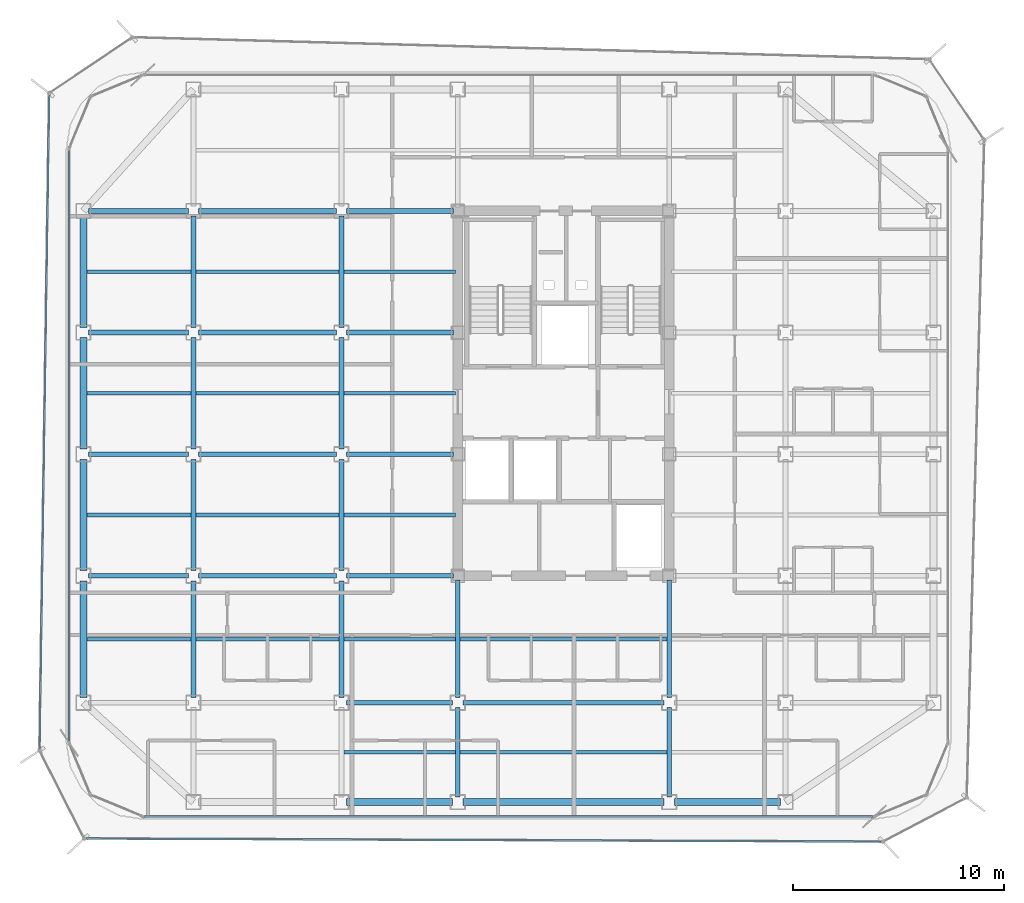
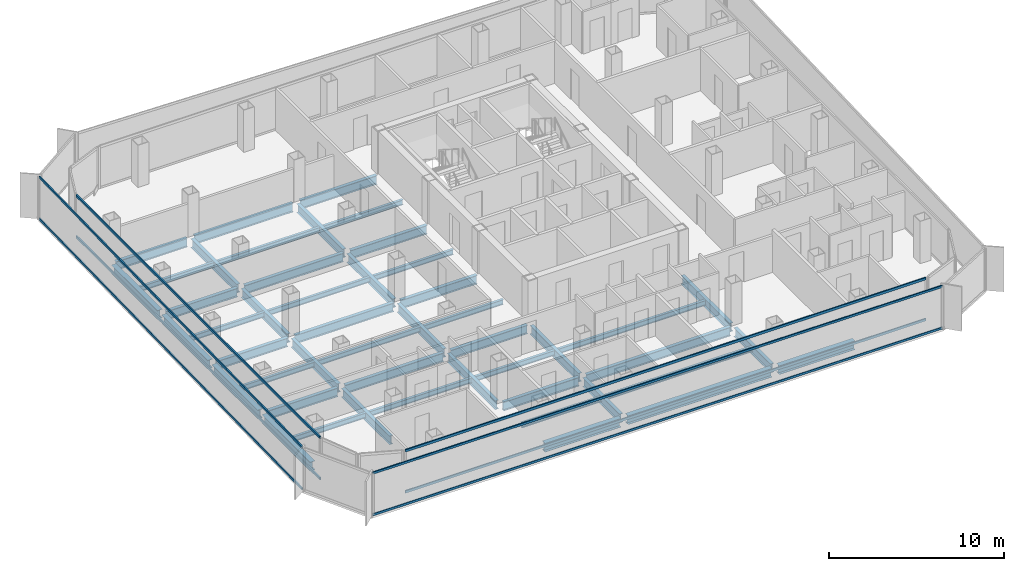
# One storey, part 3 of 16: 48 beams, 8 members, 4 elements without a shape of their own.
"""IFC4 building model written with IfcOpenShell, lengths in metres."""

import ifcopenshell
import ifcopenshell.guid

model = None  # the IFC model being written
_history = None  # IfcOwnerHistory: only IFC2X3 demands one
_inside = {}  # id of a spatial element -> (the spatial element, [elements in it])
_under = {}  # id of a project, library or spatial element -> (it, [spatial elements below it])
_declared = {}  # id of a project -> (the project, [libraries it declares])
_typed = {}  # id of a type object -> (the type object, [elements of that type])
_made_of = {}  # id of a material, layer set ... -> (it, [elements and type objects made of it])


def new_model(schema):
    """Start an empty IFC model of exactly this schema.

    Asked for "IFC4X3", IfcOpenShell would pick the latest addendum, in which some entities
    have other attributes; the version numbers below select the first issue.
    IFC2X3 requires an IfcOwnerHistory on every rooted entity: one is made here for all.
    """
    global model, _history
    if schema == "IFC4X3":
        model = ifcopenshell.file(schema_version=(4, 3, 0, 0))
    else:
        model = ifcopenshell.file(schema=schema)
    _inside.clear()
    _under.clear()
    _declared.clear()
    _typed.clear()
    _made_of.clear()
    _history = None
    if model.schema == "IFC2X3":
        org = make("IfcOrganization", Name="unknown")
        user = make(
            "IfcPersonAndOrganization",
            ThePerson=make("IfcPerson", FamilyName="unknown"),
            TheOrganization=org,
        )
        app = make(
            "IfcApplication",
            ApplicationDeveloper=org,
            Version="unknown",
            ApplicationFullName="unknown",
            ApplicationIdentifier="unknown",
        )
        _history = make(
            "IfcOwnerHistory",
            OwningUser=user,
            OwningApplication=app,
            ChangeAction="ADDED",
            CreationDate=0,
        )
    return model


def make(cls, **values):
    """One entity of the class cls with the attributes given. An attribute that is None is left unset."""
    return model.create_entity(
        cls, **{name: value for name, value in values.items() if value is not None}
    )


def rooted(cls, **values):
    """An entity with a GlobalId (a new one), such as an element, a storey or a relation."""
    return make(cls, GlobalId=ifcopenshell.guid.new(), OwnerHistory=_history, **values)


def si_unit(unit_type, name, prefix=None):
    """IfcSIUnit, for example si_unit("LENGTHUNIT", "METRE", prefix="MILLI")."""
    return make("IfcSIUnit", UnitType=unit_type, Prefix=prefix, Name=name)


def assignment(units):
    """IfcUnitAssignment: the units of a project."""
    return None if units is None else make("IfcUnitAssignment", Units=units)


def point(xyz):
    """IfcCartesianPoint."""
    return None if xyz is None else make("IfcCartesianPoint", Coordinates=xyz)


def direction(xyz):
    """IfcDirection."""
    return None if xyz is None else make("IfcDirection", DirectionRatios=xyz)


def frame(location, z_axis=None, x_axis=None):
    """IfcAxis2Placement3D, a coordinate frame: its origin and axes. An axis left out is left unset."""
    return make(
        "IfcAxis2Placement3D",
        Location=point(location),
        Axis=direction(z_axis),
        RefDirection=direction(x_axis),
    )


def frame_2d(location, x_axis=None):
    """IfcAxis2Placement2D, a coordinate frame in the plane: its origin and x axis."""
    return make(
        "IfcAxis2Placement2D", Location=point(location), RefDirection=direction(x_axis)
    )


def origin():
    """The frame at (0, 0, 0) with its axes left unset."""
    return frame((0.0, 0.0, 0.0))


def origin_2d():
    """The frame at (0, 0) in the plane with its x axis left unset."""
    return frame_2d((0.0, 0.0))


def place(relative_to, where):
    """IfcLocalPlacement: puts the frame where relative to a parent placement (None: the world)."""
    return make(
        "IfcLocalPlacement", PlacementRelTo=relative_to, RelativePlacement=where
    )


def context(
    kind, dimensions, precision=None, world=None, true_north=None, identifier=None
):
    """IfcGeometricRepresentationContext, for example the 3D "Model" context."""
    return make(
        "IfcGeometricRepresentationContext",
        ContextIdentifier=identifier,
        ContextType=kind,
        CoordinateSpaceDimension=dimensions,
        Precision=precision,
        WorldCoordinateSystem=world,
        TrueNorth=true_north,
    )


def subcontext(parent, identifier, kind, view, scale=None):
    """IfcGeometricRepresentationSubContext, for example "Body" below "Model"."""
    return make(
        "IfcGeometricRepresentationSubContext",
        ContextIdentifier=identifier,
        ContextType=kind,
        ParentContext=parent,
        TargetScale=scale,
        TargetView=view,
    )


def project(units=None, contexts=None):
    """IfcProject with its units and contexts."""
    return rooted(
        "IfcProject",
        Name="project",
        RepresentationContexts=contexts,
        UnitsInContext=assignment(units),
    )


def spatial(cls, under=None, at=None, **own):
    """A site, building, storey or space (cls), placed at a placement, below another one or the project."""
    s = rooted(cls, ObjectPlacement=at, **own)
    if under is not None:
        _under.setdefault(under.id(), (under, []))[1].append(s)
    return s


def profile(cls, at=None, kind="AREA", **sizes):
    """A parametric profile (cls). Its sizes go by their IFC names, for example OverallWidth=200.0."""
    return make(cls, ProfileType=kind, Position=at, **sizes)


def hollow_rectangle(**sizes):
    """IfcRectangleHollowProfileDef."""
    return profile("IfcRectangleHollowProfileDef", **sizes)


def i_section(**sizes):
    """IfcIShapeProfileDef."""
    return profile("IfcIShapeProfileDef", **sizes)


def extrude(swept, where, along, depth):
    """IfcExtrudedAreaSolid: the profile swept, set in the frame where, extruded along a direction by depth."""
    return make(
        "IfcExtrudedAreaSolid",
        SweptArea=swept,
        Position=where,
        ExtrudedDirection=direction(along),
        Depth=depth,
    )


def shape(context_of_items, identifier, shape_type, items):
    """IfcShapeRepresentation: the items that make up one representation, for example the "Body"."""
    return make(
        "IfcShapeRepresentation",
        ContextOfItems=context_of_items,
        RepresentationIdentifier=identifier,
        RepresentationType=shape_type,
        Items=items,
    )


def source(mapping_origin, context_of_items, identifier, shape_type, items):
    """IfcRepresentationMap: a shape defined once, which mapped items show again and again."""
    return make(
        "IfcRepresentationMap",
        MappingOrigin=mapping_origin,
        MappedRepresentation=shape(context_of_items, identifier, shape_type, items),
    )


def transform(
    local_origin,
    x_axis=None,
    y_axis=None,
    z_axis=None,
    scale=None,
    scale2=None,
    scale3=None,
    uniform=True,
):
    """IfcCartesianTransformationOperator3D, or its non-uniform kind. x_axis, y_axis, z_axis: its Axis1, 2, 3."""
    if uniform:
        return make(
            "IfcCartesianTransformationOperator3D",
            Axis1=direction(x_axis),
            Axis2=direction(y_axis),
            LocalOrigin=point(local_origin),
            Scale=scale,
            Axis3=direction(z_axis),
        )
    return make(
        "IfcCartesianTransformationOperator3DnonUniform",
        Axis1=direction(x_axis),
        Axis2=direction(y_axis),
        LocalOrigin=point(local_origin),
        Scale=scale,
        Axis3=direction(z_axis),
        Scale2=scale2,
        Scale3=scale3,
    )


def mapped(mapping_source, mapping_target):
    """IfcMappedItem: shows the shape of a source again, moved by a transform."""
    return make(
        "IfcMappedItem", MappingSource=mapping_source, MappingTarget=mapping_target
    )


def material(Name=None, Category=None):
    """IfcMaterial."""
    return make("IfcMaterial", Name=Name, Category=Category)


def layer(
    of_material, thickness, ventilated=None, Name=None, Category=None, Priority=None
):
    """IfcMaterialLayer: one layer of a wall or slab, of a material (None: an air gap)."""
    return make(
        "IfcMaterialLayer",
        Material=of_material,
        LayerThickness=thickness,
        IsVentilated=ventilated,
        Name=Name,
        Category=Category,
        Priority=Priority,
    )


def layer_set(layers, Name=None):
    """IfcMaterialLayerSet."""
    return make("IfcMaterialLayerSet", MaterialLayers=layers, LayerSetName=Name)


def material_profile(
    of_material, cross_section, Name=None, Category=None, Priority=None
):
    """IfcMaterialProfile: a cross section and its material."""
    return make(
        "IfcMaterialProfile",
        Name=Name,
        Material=of_material,
        Profile=cross_section,
        Priority=Priority,
        Category=Category,
    )


def profile_set(profiles, Name=None, composite=None):
    """IfcMaterialProfileSet."""
    return make(
        "IfcMaterialProfileSet",
        Name=Name,
        MaterialProfiles=profiles,
        CompositeProfile=composite,
    )


def made_of(thing, what):
    """Note that an element or type object is made of a material, layer set ...; save() writes the relation."""
    if what is not None:
        _made_of.setdefault(what.id(), (what, []))[1].append(thing)
    return thing


def type_object(cls, material=None, **own):
    """A type object (cls), such as IfcWallType, which elements share."""
    return made_of(rooted(cls, **own), material)


def element(
    cls,
    number,
    at=None,
    inside=None,
    cuts=None,
    type_object=None,
    material=None,
    context=None,
    identifier="Body",
    shape_type=None,
    held_by="IfcProductDefinitionShape",
    body=None,
    shapes=None,
    **own,
):
    """One element of the class cls, such as IfcWall. Its Tag is "e" and its number.

    at: its placement. inside: the storey or other place that contains it. cuts: it is an
    opening in that element (IfcRelVoidsElement). A single representation is given by context,
    identifier, shape_type and body (its items); several are given by shapes. held_by: the class
    of the entity that holds the representations. save() writes the other relations.
    """
    e = rooted(cls, Tag="e%d" % number, ObjectPlacement=at, **own)
    if body is not None:
        shapes = [shape(context, identifier, shape_type, body)]
    if shapes is not None:
        e.Representation = make(held_by, Representations=shapes)
    if inside is not None:
        _inside.setdefault(inside.id(), (inside, []))[1].append(e)
    if cuts is not None:
        rooted(
            "IfcRelVoidsElement", RelatingBuildingElement=cuts, RelatedOpeningElement=e
        )
    if type_object is not None:
        _typed.setdefault(type_object.id(), (type_object, []))[1].append(e)
    return made_of(e, material)


def aggregate(whole, parts):
    """IfcRelAggregates: a whole, such as a stair, and the parts it consists of."""
    return rooted("IfcRelAggregates", RelatingObject=whole, RelatedObjects=parts)


def save(model, path):
    """Write the relations noted so far, then the file.

    IfcRelAggregates (storeys below a building ...), IfcRelContainedInSpatialStructure (elements
    in a storey), IfcRelDefinesByType, IfcRelAssociatesMaterial and IfcRelDeclares: one each for
    every whole, place, type object, material and project.
    """
    for whole, parts in _under.values():
        aggregate(whole, parts)
    for where, things in _inside.values():
        rooted(
            "IfcRelContainedInSpatialStructure",
            RelatedElements=things,
            RelatingStructure=where,
        )
    for kind, things in _typed.values():
        rooted("IfcRelDefinesByType", RelatedObjects=things, RelatingType=kind)
    for what, things in _made_of.values():
        rooted("IfcRelAssociatesMaterial", RelatedObjects=things, RelatingMaterial=what)
    for by, libraries in _declared.values():
        rooted("IfcRelDeclares", RelatingContext=by, RelatedDefinitions=libraries)
    model.write(path)


model = new_model("IFC4")

# Units and contexts
model_context = context("Model", 3, precision=1e-05, world=origin(), true_north=direction((0.0, 1.0)))
body_context = subcontext(model_context, "Body", "Model", "MODEL_VIEW")
ifc_project = project(units=[si_unit("LENGTHUNIT", "METRE"), si_unit("AREAUNIT", "SQUARE_METRE"), si_unit("VOLUMEUNIT", "CUBIC_METRE"), si_unit("PLANEANGLEUNIT", "RADIAN"), si_unit("MASSUNIT", "GRAM", prefix="KILO")], contexts=[model_context])

# Site, building, storey
site_placement = place(None, origin())
site = spatial("IfcSite", under=ifc_project, at=site_placement, CompositionType="ELEMENT")
building_placement = place(site_placement, origin())
building = spatial("IfcBuilding", under=site, at=building_placement, Name="Kolveth Station Tower", CompositionType="ELEMENT")
storey_placement = place(building_placement, frame((0.0, 0.0, 175.300048828125)))
storey = spatial("IfcBuildingStorey", under=building, at=storey_placement, Name="L49", CompositionType="ELEMENT", Elevation=175.300048828125)

# Beams
ifc_material_1 = material(Name="Steel S355", Category="steel")
ifc_material_profile_1 = material_profile(ifc_material_1, i_section(OverallWidth=0.323974609375, OverallDepth=0.611083984375, WebThickness=0.0126953125, FlangeThickness=0.01904296875, at=origin_2d()), Name="W610x155")
ifc_profile_set_1 = profile_set([ifc_material_profile_1], Name="Steel S355")
beam_type_1 = type_object("IfcBeamType", Name="Beam_SP2", PredefinedType="SPANDREL", material=ifc_profile_set_1)
shared_shape_1 = source(origin(), body_context, "Body", "SweptSolid", [
    extrude(i_section(OverallWidth=0.323974609375, OverallDepth=0.611083984375, WebThickness=0.0126953125, FlangeThickness=0.01904296875, at=origin_2d()), origin(), (0.0, 0.0, 1.0), 5.02001953125),
])
for number, where, z_axis, x_axis, name in (
    (1, (13.239990234375, 0.800048828125, -0.5556640625), (1.0, 0.0, 0.0), (0.0, 1.0, 0.0), "L49 Perimeter Spandrel BM-L49-PS-2"),
    (2, (28.739990234375, 0.800048828125, -0.5556640625), (1.0, 0.0, 0.0), (0.0, 1.0, 0.0), "L49 Perimeter Spandrel BM-L49-PS-4"),
):
    element("IfcBeam", number, at=place(storey_placement, frame(where, z_axis=z_axis, x_axis=x_axis)), inside=storey, type_object=beam_type_1, Name=name, PredefinedType="SPANDREL", context=body_context, shape_type="MappedRepresentation", body=[
        mapped(shared_shape_1, transform((0.0, 0.0, 0.0), x_axis=(1.0, 0.0, 0.0), y_axis=(0.0, 1.0, 0.0), z_axis=(0.0, 0.0, 1.0), scale=1.0)),
    ])
shared_shape_2 = source(origin(), body_context, "Body", "SweptSolid", [
    extrude(i_section(OverallWidth=0.323974609375, OverallDepth=0.611083984375, WebThickness=0.0126953125, FlangeThickness=0.01904296875, at=origin_2d()), origin(), (0.0, 0.0, 1.0), 9.52001953125),
])
beam_1_placement = place(storey_placement, frame((18.739990234375, 0.800048828125, -0.5556640625), z_axis=(1.0, 0.0, 0.0), x_axis=(0.0, 1.0, 0.0)))
element("IfcBeam", 3, at=beam_1_placement, inside=storey, type_object=beam_type_1, Name="L49 Perimeter Spandrel BM-L49-PS-3", PredefinedType="SPANDREL", context=body_context, shape_type="MappedRepresentation", body=[
    mapped(shared_shape_2, transform((0.0, 0.0, 0.0), x_axis=(1.0, 0.0, 0.0), y_axis=(0.0, 1.0, 0.0), z_axis=(0.0, 0.0, 1.0), scale=1.0)),
])
shared_shape_3 = source(origin(), body_context, "Body", "SweptSolid", [
    extrude(i_section(OverallWidth=0.323974609375, OverallDepth=0.611083984375, WebThickness=0.0126953125, FlangeThickness=0.01904296875, at=origin_2d()), origin(), (0.0, 0.0, 1.0), 5.52001953125),
])
beam_2_placement = place(storey_placement, frame((0.800048828125, 5.739990234375, -0.5556640625), z_axis=(0.0, 1.0, 0.0), x_axis=(-1.0, 0.0, 0.0)))
element("IfcBeam", 4, at=beam_2_placement, inside=storey, type_object=beam_type_1, Name="L49 Perimeter Spandrel BM-L49-PW-1", PredefinedType="SPANDREL", context=body_context, shape_type="MappedRepresentation", body=[
    mapped(shared_shape_3, transform((0.0, 0.0, 0.0), x_axis=(1.0, 0.0, 0.0), y_axis=(0.0, 1.0, 0.0), z_axis=(0.0, 0.0, 1.0), scale=1.0)),
])
shared_shape_4 = source(origin(), body_context, "Body", "SweptSolid", [
    extrude(i_section(OverallWidth=0.323974609375, OverallDepth=0.611083984375, WebThickness=0.0126953125, FlangeThickness=0.01904296875, at=origin_2d()), origin(), (0.0, 0.0, 1.0), 5.27001953125),
])
for number, where, z_axis, x_axis, name in (
    (5, (0.800048828125, 11.739990234375, -0.5556640625), (0.0, 1.0, 0.0), (-1.0, 0.0, 0.0), "L49 Perimeter Spandrel BM-L49-PW-2"),
    (6, (0.800048828125, 17.489990234375, -0.5556640625), (0.0, 1.0, 0.0), (-1.0, 0.0, 0.0), "L49 Perimeter Spandrel BM-L49-PW-3"),
    (7, (0.800048828125, 23.239990234375, -0.5556640625), (0.0, 1.0, 0.0), (-1.0, 0.0, 0.0), "L49 Perimeter Spandrel BM-L49-PW-4"),
):
    element("IfcBeam", number, at=place(storey_placement, frame(where, z_axis=z_axis, x_axis=x_axis)), inside=storey, type_object=beam_type_1, Name=name, PredefinedType="SPANDREL", context=body_context, shape_type="MappedRepresentation", body=[
        mapped(shared_shape_4, transform((0.0, 0.0, 0.0), x_axis=(1.0, 0.0, 0.0), y_axis=(0.0, 1.0, 0.0), z_axis=(0.0, 0.0, 1.0), scale=1.0)),
    ])
ifc_material_profile_2 = material_profile(ifc_material_1, i_section(OverallWidth=0.22900390625, OverallDepth=0.612060546875, WebThickness=0.011962890625, FlangeThickness=0.01953125, at=origin_2d()), Name="W610x125")
ifc_profile_set_2 = profile_set([ifc_material_profile_2], Name="Steel S355")
beam_type_2 = type_object("IfcBeamType", Name="Beam_B5", PredefinedType="BEAM", material=ifc_profile_set_2)
shared_shape_5 = source(origin(), body_context, "Body", "SweptSolid", [
    extrude(i_section(OverallWidth=0.22900390625, OverallDepth=0.612060546875, WebThickness=0.011962890625, FlangeThickness=0.01953125, at=origin_2d()), origin(), (0.0, 0.0, 1.0), 4.719970703125),
])
for number, where, z_axis, x_axis, name in (
    (8, (1.0400390625, 11.5, -0.55615234375), (1.0, 0.0, 0.0), (0.0, 1.0, 0.0), "L49 Primary Girder BM-L49-GY115-1"),
    (9, (1.0400390625, 17.25, -0.55615234375), (1.0, 0.0, 0.0), (0.0, 1.0, 0.0), "L49 Primary Girder BM-L49-GY172-1"),
    (10, (1.0400390625, 23.0, -0.55615234375), (1.0, 0.0, 0.0), (0.0, 1.0, 0.0), "L49 Primary Girder BM-L49-GY230-1"),
    (11, (1.0400390625, 28.75, -0.55615234375), (1.0, 0.0, 0.0), (0.0, 1.0, 0.0), "L49 Primary Girder BM-L49-GY287-1"),
):
    element("IfcBeam", number, at=place(storey_placement, frame(where, z_axis=z_axis, x_axis=x_axis)), inside=storey, type_object=beam_type_2, Name=name, PredefinedType="BEAM", context=body_context, shape_type="MappedRepresentation", body=[
        mapped(shared_shape_5, transform((0.0, 0.0, 0.0), x_axis=(1.0, 0.0, 0.0), y_axis=(0.0, 1.0, 0.0), z_axis=(0.0, 0.0, 1.0), scale=1.0)),
    ])
shared_shape_6 = source(origin(), body_context, "Body", "SweptSolid", [
    extrude(i_section(OverallWidth=0.22900390625, OverallDepth=0.612060546875, WebThickness=0.011962890625, FlangeThickness=0.01953125, at=origin_2d()), origin(), (0.0, 0.0, 1.0), 6.52001953125),
])
for number, where, z_axis, x_axis, name in (
    (12, (6.239990234375, 11.5, -0.55615234375), (1.0, 0.0, 0.0), (0.0, 1.0, 0.0), "L49 Primary Girder BM-L49-GY115-2"),
    (13, (6.239990234375, 17.25, -0.55615234375), (1.0, 0.0, 0.0), (0.0, 1.0, 0.0), "L49 Primary Girder BM-L49-GY172-2"),
    (14, (6.239990234375, 23.0, -0.55615234375), (1.0, 0.0, 0.0), (0.0, 1.0, 0.0), "L49 Primary Girder BM-L49-GY230-2"),
    (15, (6.239990234375, 28.75, -0.55615234375), (1.0, 0.0, 0.0), (0.0, 1.0, 0.0), "L49 Primary Girder BM-L49-GY287-2"),
):
    element("IfcBeam", number, at=place(storey_placement, frame(where, z_axis=z_axis, x_axis=x_axis)), inside=storey, type_object=beam_type_2, Name=name, PredefinedType="BEAM", context=body_context, shape_type="MappedRepresentation", body=[
        mapped(shared_shape_6, transform((0.0, 0.0, 0.0), x_axis=(1.0, 0.0, 0.0), y_axis=(0.0, 1.0, 0.0), z_axis=(0.0, 0.0, 1.0), scale=1.0)),
    ])
shared_shape_7 = source(origin(), body_context, "Body", "SweptSolid", [
    extrude(i_section(OverallWidth=0.22900390625, OverallDepth=0.612060546875, WebThickness=0.011962890625, FlangeThickness=0.01953125, at=origin_2d()), origin(), (0.0, 0.0, 1.0), 5.02001953125),
])
beam_3_placement = place(storey_placement, frame((13.239990234375, 5.5, -0.55615234375), z_axis=(1.0, 0.0, 0.0), x_axis=(0.0, 1.0, 0.0)))
element("IfcBeam", 16, at=beam_3_placement, inside=storey, type_object=beam_type_2, Name="L49 Primary Girder BM-L49-GY55-3", PredefinedType="BEAM", context=body_context, shape_type="MappedRepresentation", body=[
    mapped(shared_shape_7, transform((0.0, 0.0, 0.0), x_axis=(1.0, 0.0, 0.0), y_axis=(0.0, 1.0, 0.0), z_axis=(0.0, 0.0, 1.0), scale=1.0)),
])
shared_shape_8 = source(origin(), body_context, "Body", "SweptSolid", [
    extrude(i_section(OverallWidth=0.22900390625, OverallDepth=0.612060546875, WebThickness=0.011962890625, FlangeThickness=0.01953125, at=origin_2d()), origin(), (0.0, 0.0, 1.0), 9.52001953125),
])
beam_4_placement = place(storey_placement, frame((18.739990234375, 5.5, -0.55615234375), z_axis=(1.0, 0.0, 0.0), x_axis=(0.0, 1.0, 0.0)))
element("IfcBeam", 17, at=beam_4_placement, inside=storey, type_object=beam_type_2, Name="L49 Primary Girder BM-L49-GY55-4", PredefinedType="BEAM", context=body_context, shape_type="MappedRepresentation", body=[
    mapped(shared_shape_8, transform((0.0, 0.0, 0.0), x_axis=(1.0, 0.0, 0.0), y_axis=(0.0, 1.0, 0.0), z_axis=(0.0, 0.0, 1.0), scale=1.0)),
])
shared_shape_9 = source(origin(), body_context, "Body", "SweptSolid", [
    extrude(i_section(OverallWidth=0.22900390625, OverallDepth=0.612060546875, WebThickness=0.011962890625, FlangeThickness=0.01953125, at=origin_2d()), origin(), (0.0, 0.0, 1.0), 5.06005859375),
])
for number, where, z_axis, x_axis, name in (
    (18, (13.239990234375, 11.5, -0.55615234375), (1.0, 0.0, 0.0), (0.0, 1.0, 0.0), "L49 Primary Girder BM-L49-GY115-3"),
    (19, (13.239990234375, 17.25, -0.55615234375), (1.0, 0.0, 0.0), (0.0, 1.0, 0.0), "L49 Primary Girder BM-L49-GY172-3"),
    (20, (13.239990234375, 23.0, -0.55615234375), (1.0, 0.0, 0.0), (0.0, 1.0, 0.0), "L49 Primary Girder BM-L49-GY230-3"),
    (21, (13.239990234375, 28.75, -0.55615234375), (1.0, 0.0, 0.0), (0.0, 1.0, 0.0), "L49 Primary Girder BM-L49-GY287-3"),
):
    element("IfcBeam", number, at=place(storey_placement, frame(where, z_axis=z_axis, x_axis=x_axis)), inside=storey, type_object=beam_type_2, Name=name, PredefinedType="BEAM", context=body_context, shape_type="MappedRepresentation", body=[
        mapped(shared_shape_9, transform((0.0, 0.0, 0.0), x_axis=(1.0, 0.0, 0.0), y_axis=(0.0, 1.0, 0.0), z_axis=(0.0, 0.0, 1.0), scale=1.0)),
    ])
shared_shape_10 = source(origin(), body_context, "Body", "SweptSolid", [
    extrude(i_section(OverallWidth=0.22900390625, OverallDepth=0.612060546875, WebThickness=0.011962890625, FlangeThickness=0.01953125, at=origin_2d()), origin(), (0.0, 0.0, 1.0), 4.219970703125),
])
for number, where, z_axis, x_axis, name in (
    (22, (18.5, 1.0400390625, -0.55615234375), (0.0, 1.0, 0.0), (-1.0, 0.0, 0.0), "L49 Primary Girder BM-L49-GX185-1"),
    (23, (28.5, 1.0400390625, -0.55615234375), (0.0, 1.0, 0.0), (-1.0, 0.0, 0.0), "L49 Primary Girder BM-L49-GX285-1"),
):
    element("IfcBeam", number, at=place(storey_placement, frame(where, z_axis=z_axis, x_axis=x_axis)), inside=storey, type_object=beam_type_2, Name=name, PredefinedType="BEAM", context=body_context, shape_type="MappedRepresentation", body=[
        mapped(shared_shape_10, transform((0.0, 0.0, 0.0), x_axis=(1.0, 0.0, 0.0), y_axis=(0.0, 1.0, 0.0), z_axis=(0.0, 0.0, 1.0), scale=1.0)),
    ])
shared_shape_11 = source(origin(), body_context, "Body", "SweptSolid", [
    extrude(i_section(OverallWidth=0.22900390625, OverallDepth=0.612060546875, WebThickness=0.011962890625, FlangeThickness=0.01953125, at=origin_2d()), origin(), (0.0, 0.0, 1.0), 5.52001953125),
])
for number, where, z_axis, x_axis, name in (
    (24, (6.0, 5.739990234375, -0.55615234375), (0.0, 1.0, 0.0), (-1.0, 0.0, 0.0), "L49 Primary Girder BM-L49-GX60-2"),
    (25, (13.0, 5.739990234375, -0.55615234375), (0.0, 1.0, 0.0), (-1.0, 0.0, 0.0), "L49 Primary Girder BM-L49-GX130-2"),
):
    element("IfcBeam", number, at=place(storey_placement, frame(where, z_axis=z_axis, x_axis=x_axis)), inside=storey, type_object=beam_type_2, Name=name, PredefinedType="BEAM", context=body_context, shape_type="MappedRepresentation", body=[
        mapped(shared_shape_11, transform((0.0, 0.0, 0.0), x_axis=(1.0, 0.0, 0.0), y_axis=(0.0, 1.0, 0.0), z_axis=(0.0, 0.0, 1.0), scale=1.0)),
    ])
shared_shape_12 = source(origin(), body_context, "Body", "SweptSolid", [
    extrude(i_section(OverallWidth=0.22900390625, OverallDepth=0.612060546875, WebThickness=0.011962890625, FlangeThickness=0.01953125, at=origin_2d()), origin(), (0.0, 0.0, 1.0), 5.27001953125),
])
for number, where, z_axis, x_axis, name in (
    (26, (6.0, 11.739990234375, -0.55615234375), (0.0, 1.0, 0.0), (-1.0, 0.0, 0.0), "L49 Primary Girder BM-L49-GX60-3"),
    (27, (6.0, 17.489990234375, -0.55615234375), (0.0, 1.0, 0.0), (-1.0, 0.0, 0.0), "L49 Primary Girder BM-L49-GX60-4"),
    (28, (6.0, 23.239990234375, -0.55615234375), (0.0, 1.0, 0.0), (-1.0, 0.0, 0.0), "L49 Primary Girder BM-L49-GX60-5"),
    (29, (13.0, 11.739990234375, -0.55615234375), (0.0, 1.0, 0.0), (-1.0, 0.0, 0.0), "L49 Primary Girder BM-L49-GX130-3"),
    (30, (13.0, 17.489990234375, -0.55615234375), (0.0, 1.0, 0.0), (-1.0, 0.0, 0.0), "L49 Primary Girder BM-L49-GX130-4"),
    (31, (13.0, 23.239990234375, -0.55615234375), (0.0, 1.0, 0.0), (-1.0, 0.0, 0.0), "L49 Primary Girder BM-L49-GX130-5"),
):
    element("IfcBeam", number, at=place(storey_placement, frame(where, z_axis=z_axis, x_axis=x_axis)), inside=storey, type_object=beam_type_2, Name=name, PredefinedType="BEAM", context=body_context, shape_type="MappedRepresentation", body=[
        mapped(shared_shape_12, transform((0.0, 0.0, 0.0), x_axis=(1.0, 0.0, 0.0), y_axis=(0.0, 1.0, 0.0), z_axis=(0.0, 0.0, 1.0), scale=1.0)),
    ])
shared_shape_13 = source(origin(), body_context, "Body", "SweptSolid", [
    extrude(i_section(OverallWidth=0.22900390625, OverallDepth=0.612060546875, WebThickness=0.011962890625, FlangeThickness=0.01953125, at=origin_2d()), origin(), (0.0, 0.0, 1.0), 5.56005859375),
])
for number, where, z_axis, x_axis, name in (
    (32, (18.5, 5.739990234375, -0.55615234375), (0.0, 1.0, 0.0), (-1.0, 0.0, 0.0), "L49 Primary Girder BM-L49-GX185-2"),
    (33, (28.5, 5.739990234375, -0.55615234375), (0.0, 1.0, 0.0), (-1.0, 0.0, 0.0), "L49 Primary Girder BM-L49-GX285-2"),
):
    element("IfcBeam", number, at=place(storey_placement, frame(where, z_axis=z_axis, x_axis=x_axis)), inside=storey, type_object=beam_type_2, Name=name, PredefinedType="BEAM", context=body_context, shape_type="MappedRepresentation", body=[
        mapped(shared_shape_13, transform((0.0, 0.0, 0.0), x_axis=(1.0, 0.0, 0.0), y_axis=(0.0, 1.0, 0.0), z_axis=(0.0, 0.0, 1.0), scale=1.0)),
    ])
ifc_material_profile_3 = material_profile(ifc_material_1, i_section(OverallWidth=0.1708984375, OverallDepth=0.35205078125, WebThickness=0.0068359375, FlangeThickness=0.009765625, at=origin_2d()), Name="W360x44")
ifc_profile_set_3 = profile_set([ifc_material_profile_3], Name="Steel S355")
beam_type_3 = type_object("IfcBeamType", Name="Beam_J2", PredefinedType="JOIST", material=ifc_profile_set_3)
shared_shape_14 = source(origin(), body_context, "Body", "SweptSolid", [
    extrude(i_section(OverallWidth=0.1708984375, OverallDepth=0.35205078125, WebThickness=0.0068359375, FlangeThickness=0.009765625, at=origin_2d()), origin(), (0.0, 0.0, 1.0), 4.927490234375),
])
for number, where, z_axis, x_axis, name in (
    (34, (0.9599609375, 8.5, -0.426025390625), (1.0, 0.0, 0.0), (0.0, 1.0, 0.0), "L49 Secondary Joist JST-L49-1-2"),
    (35, (0.9599609375, 14.375, -0.426025390625), (1.0, 0.0, 0.0), (0.0, 1.0, 0.0), "L49 Secondary Joist JST-L49-1-3"),
    (36, (0.9599609375, 20.125, -0.426025390625), (1.0, 0.0, 0.0), (0.0, 1.0, 0.0), "L49 Secondary Joist JST-L49-1-4"),
    (37, (0.9599609375, 25.875, -0.426025390625), (1.0, 0.0, 0.0), (0.0, 1.0, 0.0), "L49 Secondary Joist JST-L49-1-5"),
):
    element("IfcBeam", number, at=place(storey_placement, frame(where, z_axis=z_axis, x_axis=x_axis)), inside=storey, type_object=beam_type_3, Name=name, PredefinedType="JOIST", context=body_context, shape_type="MappedRepresentation", body=[
        mapped(shared_shape_14, transform((0.0, 0.0, 0.0), x_axis=(1.0, 0.0, 0.0), y_axis=(0.0, 1.0, 0.0), z_axis=(0.0, 0.0, 1.0), scale=1.0)),
    ])
shared_shape_15 = source(origin(), body_context, "Body", "SweptSolid", [
    extrude(i_section(OverallWidth=0.1708984375, OverallDepth=0.35205078125, WebThickness=0.0068359375, FlangeThickness=0.009765625, at=origin_2d()), origin(), (0.0, 0.0, 1.0), 6.77490234375),
])
for number, where, z_axis, x_axis, name in (
    (38, (6.112548828125, 8.5, -0.426025390625), (1.0, 0.0, 0.0), (0.0, 1.0, 0.0), "L49 Secondary Joist JST-L49-2-2"),
    (39, (6.112548828125, 14.375, -0.426025390625), (1.0, 0.0, 0.0), (0.0, 1.0, 0.0), "L49 Secondary Joist JST-L49-2-3"),
    (40, (6.112548828125, 20.125, -0.426025390625), (1.0, 0.0, 0.0), (0.0, 1.0, 0.0), "L49 Secondary Joist JST-L49-2-4"),
    (41, (6.112548828125, 25.875, -0.426025390625), (1.0, 0.0, 0.0), (0.0, 1.0, 0.0), "L49 Secondary Joist JST-L49-2-5"),
):
    element("IfcBeam", number, at=place(storey_placement, frame(where, z_axis=z_axis, x_axis=x_axis)), inside=storey, type_object=beam_type_3, Name=name, PredefinedType="JOIST", context=body_context, shape_type="MappedRepresentation", body=[
        mapped(shared_shape_15, transform((0.0, 0.0, 0.0), x_axis=(1.0, 0.0, 0.0), y_axis=(0.0, 1.0, 0.0), z_axis=(0.0, 0.0, 1.0), scale=1.0)),
    ])
shared_shape_16 = source(origin(), body_context, "Body", "SweptSolid", [
    extrude(i_section(OverallWidth=0.1708984375, OverallDepth=0.35205078125, WebThickness=0.0068359375, FlangeThickness=0.009765625, at=origin_2d()), origin(), (0.0, 0.0, 1.0), 5.27490234375),
])
for number, where, z_axis, x_axis, name in (
    (42, (13.112548828125, 3.14990234375, -0.426025390625), (1.0, 0.0, 0.0), (0.0, 1.0, 0.0), "L49 Secondary Joist JST-L49-3-1"),
    (43, (13.112548828125, 8.5, -0.426025390625), (1.0, 0.0, 0.0), (0.0, 1.0, 0.0), "L49 Secondary Joist JST-L49-3-2"),
    (44, (13.112548828125, 14.375, -0.426025390625), (1.0, 0.0, 0.0), (0.0, 1.0, 0.0), "L49 Secondary Joist JST-L49-3-3"),
    (45, (13.112548828125, 20.125, -0.426025390625), (1.0, 0.0, 0.0), (0.0, 1.0, 0.0), "L49 Secondary Joist JST-L49-3-4"),
    (46, (13.112548828125, 25.875, -0.426025390625), (1.0, 0.0, 0.0), (0.0, 1.0, 0.0), "L49 Secondary Joist JST-L49-3-5"),
):
    element("IfcBeam", number, at=place(storey_placement, frame(where, z_axis=z_axis, x_axis=x_axis)), inside=storey, type_object=beam_type_3, Name=name, PredefinedType="JOIST", context=body_context, shape_type="MappedRepresentation", body=[
        mapped(shared_shape_16, transform((0.0, 0.0, 0.0), x_axis=(1.0, 0.0, 0.0), y_axis=(0.0, 1.0, 0.0), z_axis=(0.0, 0.0, 1.0), scale=1.0)),
    ])
shared_shape_17 = source(origin(), body_context, "Body", "SweptSolid", [
    extrude(i_section(OverallWidth=0.1708984375, OverallDepth=0.35205078125, WebThickness=0.0068359375, FlangeThickness=0.009765625, at=origin_2d()), origin(), (0.0, 0.0, 1.0), 9.77490234375),
])
for number, where, z_axis, x_axis, name in (
    (47, (18.612548828125, 3.14990234375, -0.426025390625), (1.0, 0.0, 0.0), (0.0, 1.0, 0.0), "L49 Secondary Joist JST-L49-4-1"),
    (48, (18.612548828125, 8.5, -0.426025390625), (1.0, 0.0, 0.0), (0.0, 1.0, 0.0), "L49 Secondary Joist JST-L49-4-2"),
):
    element("IfcBeam", number, at=place(storey_placement, frame(where, z_axis=z_axis, x_axis=x_axis)), inside=storey, type_object=beam_type_3, Name=name, PredefinedType="JOIST", context=body_context, shape_type="MappedRepresentation", body=[
        mapped(shared_shape_17, transform((0.0, 0.0, 0.0), x_axis=(1.0, 0.0, 0.0), y_axis=(0.0, 1.0, 0.0), z_axis=(0.0, 0.0, 1.0), scale=1.0)),
    ])

# Curtain wall, members
ifc_material_2 = material(Name="Aluminium 6063-T6 and low-E dark glass", Category="aluminium")
ifc_layer_1 = layer(ifc_material_2, 0.18994140625)
ifc_layer_set_1 = layer_set([ifc_layer_1], Name="Aluminium 6063-T6 and low-E dark glass")
curtain_wall_type_1 = type_object("IfcCurtainWallType", Name="CurtainWall_CW-Z2", PredefinedType="NOTDEFINED", material=ifc_layer_set_1)
curtain_wall_1_placement = place(storey_placement, origin())
curtain_wall_1 = element("IfcCurtainWall", 49, at=curtain_wall_1_placement, inside=storey, type_object=curtain_wall_type_1, Name="L49 Inner Thermal Curtain Wall 9", PredefinedType="NOTDEFINED")
ifc_material_3 = material(Name="Black anodized aluminium 6063-T6", Category="aluminium")
ifc_material_profile_4 = material_profile(ifc_material_3, hollow_rectangle(XDim=0.080078125, YDim=0.169921875, WallThickness=0.0048828125, at=origin_2d()), Name="ALU-80x170x5")
ifc_profile_set_4 = profile_set([ifc_material_profile_4], Name="Black anodized aluminium 6063-T6")
member_type_1 = type_object("IfcMemberType", Name="Transom_TR2", PredefinedType="USERDEFINED", material=ifc_profile_set_4)
shared_shape_18 = source(origin(), body_context, "Body", "SweptSolid", [
    extrude(hollow_rectangle(XDim=0.080078125, YDim=0.169921875, WallThickness=0.0048828125, at=origin_2d()), origin(), (0.0, 0.0, 1.0), 27.940185546875),
])
member_1_placement = place(storey_placement, frame((0.1201171875, 31.6201171875, 0.0400390625), z_axis=(0.0, -1.0, 0.0), x_axis=(1.0, 0.0, 0.0)))
member_1 = element("IfcMember", 50, at=member_1_placement, type_object=member_type_1, Name="CW-Z2 transom 1.1", ObjectType="TRANSOM", PredefinedType="USERDEFINED", context=body_context, shape_type="MappedRepresentation", body=[
    mapped(shared_shape_18, transform((0.0, 0.0, 0.0), x_axis=(1.0, 0.0, 0.0), y_axis=(0.0, 1.0, 0.0), z_axis=(0.0, 0.0, 1.0), scale=1.0)),
])
member_2_placement = place(storey_placement, frame((0.1201171875, 31.6201171875, 2.909912109375), z_axis=(0.0, -1.0, 0.0), x_axis=(1.0, 0.0, 0.0)))
member_2 = element("IfcMember", 51, at=member_2_placement, type_object=member_type_1, Name="CW-Z2 transom 1.2", ObjectType="TRANSOM", PredefinedType="USERDEFINED", context=body_context, shape_type="MappedRepresentation", body=[
    mapped(shared_shape_18, transform((0.0, 0.0, 0.0), x_axis=(1.0, 0.0, 0.0), y_axis=(0.0, 1.0, 0.0), z_axis=(0.0, 0.0, 1.0), scale=1.0)),
])
aggregate(curtain_wall_1, [member_1, member_2])

curtain_wall_2_placement = place(storey_placement, origin())
curtain_wall_2 = element("IfcCurtainWall", 52, at=curtain_wall_2_placement, inside=storey, type_object=curtain_wall_type_1, Name="L49 Inner Thermal Curtain Wall 12", PredefinedType="NOTDEFINED")
shared_shape_19 = source(origin(), body_context, "Body", "SweptSolid", [
    extrude(hollow_rectangle(XDim=0.080078125, YDim=0.169921875, WallThickness=0.0048828125, at=origin_2d()), origin(), (0.0, 0.0, 1.0), 34.440185546875),
])
member_3_placement = place(storey_placement, frame((3.679931640625, 0.1201171875, 0.0400390625), z_axis=(1.0, 0.0, 0.0), x_axis=(0.0, 1.0, 0.0)))
member_3 = element("IfcMember", 53, at=member_3_placement, type_object=member_type_1, Name="CW-Z2 transom 1.1", ObjectType="TRANSOM", PredefinedType="USERDEFINED", context=body_context, shape_type="MappedRepresentation", body=[
    mapped(shared_shape_19, transform((0.0, 0.0, 0.0), x_axis=(1.0, 0.0, 0.0), y_axis=(0.0, 1.0, 0.0), z_axis=(0.0, 0.0, 1.0), scale=1.0)),
])
member_4_placement = place(storey_placement, frame((3.679931640625, 0.1201171875, 2.909912109375), z_axis=(1.0, 0.0, 0.0), x_axis=(0.0, 1.0, 0.0)))
member_4 = element("IfcMember", 54, at=member_4_placement, type_object=member_type_1, Name="CW-Z2 transom 1.2", ObjectType="TRANSOM", PredefinedType="USERDEFINED", context=body_context, shape_type="MappedRepresentation", body=[
    mapped(shared_shape_19, transform((0.0, 0.0, 0.0), x_axis=(1.0, 0.0, 0.0), y_axis=(0.0, 1.0, 0.0), z_axis=(0.0, 0.0, 1.0), scale=1.0)),
])
aggregate(curtain_wall_2, [member_3, member_4])

ifc_material_4 = material(Name="Black anodized aluminium 6063-T6 and dark solar glass", Category="aluminium")
ifc_layer_2 = layer(ifc_material_4, 0.159912109375)
ifc_layer_set_2 = layer_set([ifc_layer_2], Name="Black anodized aluminium 6063-T6 and dark solar glass")
curtain_wall_type_2 = type_object("IfcCurtainWallType", Name="OUTER SKIN CW-OS", PredefinedType="NOTDEFINED", material=ifc_layer_set_2)
curtain_wall_3_placement = place(storey_placement, origin())
curtain_wall_3 = element("IfcCurtainWall", 55, at=curtain_wall_3_placement, inside=storey, type_object=curtain_wall_type_2, Name="L49 Outer Ventilated Skin Curtain Wall 6", PredefinedType="NOTDEFINED")
ifc_material_profile_5 = material_profile(ifc_material_3, hollow_rectangle(XDim=0.080078125, YDim=0.14990234375, WallThickness=0.0048828125, at=origin_2d()), Name="ALU-80x150x5")
ifc_profile_set_5 = profile_set([ifc_material_profile_5], Name="Black anodized aluminium 6063-T6")
member_type_2 = type_object("IfcMemberType", Name="Transom_TR-OS", PredefinedType="USERDEFINED", material=ifc_profile_set_5)
shared_shape_20 = source(origin(), body_context, "Body", "SweptSolid", [
    extrude(hollow_rectangle(XDim=0.080078125, YDim=0.14990234375, WallThickness=0.0048828125, at=origin_2d()), origin(), (0.0, 0.0, 1.0), 30.90625),
])
member_5_placement = place(storey_placement, frame((-0.8203125, 34.229248046875, 0.0400390625), z_axis=(-0.014692910453, -0.999892053365, 0.0), x_axis=(0.999892053365, -0.014692910453, 0.0)))
member_5 = element("IfcMember", 56, at=member_5_placement, type_object=member_type_2, Name="CW-OS transom 1.1", ObjectType="TRANSOM", PredefinedType="USERDEFINED", context=body_context, shape_type="MappedRepresentation", body=[
    mapped(shared_shape_20, transform((0.0, 0.0, 0.0), x_axis=(1.0, 0.0, 0.0), y_axis=(0.0, 1.0, 0.0), z_axis=(0.0, 0.0, 1.0), scale=1.0)),
])
member_6_placement = place(storey_placement, frame((-0.8203125, 34.229248046875, 2.949951171875), z_axis=(-0.014692910453, -0.999892053365, 0.0), x_axis=(0.999892053365, -0.014692910453, 0.0)))
member_6 = element("IfcMember", 57, at=member_6_placement, type_object=member_type_2, Name="CW-OS transom 1.2", ObjectType="TRANSOM", PredefinedType="USERDEFINED", context=body_context, shape_type="MappedRepresentation", body=[
    mapped(shared_shape_20, transform((0.0, 0.0, 0.0), x_axis=(1.0, 0.0, 0.0), y_axis=(0.0, 1.0, 0.0), z_axis=(0.0, 0.0, 1.0), scale=1.0)),
])
aggregate(curtain_wall_3, [member_5, member_6])

curtain_wall_4_placement = place(storey_placement, origin())
curtain_wall_4 = element("IfcCurtainWall", 58, at=curtain_wall_4_placement, inside=storey, type_object=curtain_wall_type_2, Name="L49 Outer Ventilated Skin Curtain Wall 8", PredefinedType="NOTDEFINED")
shared_shape_21 = source(origin(), body_context, "Body", "SweptSolid", [
    extrude(hollow_rectangle(XDim=0.080078125, YDim=0.14990234375, WallThickness=0.0048828125, at=origin_2d()), origin(), (0.0, 0.0, 1.0), 37.59375),
])
member_7_placement = place(storey_placement, frame((0.92431640625, -0.924560546875, 0.0400390625), z_axis=(0.999992050203, -0.003987421461, 0.0), x_axis=(0.003987421461, 0.999992050203, 0.0)))
member_7 = element("IfcMember", 59, at=member_7_placement, type_object=member_type_2, Name="CW-OS transom 1.1", ObjectType="TRANSOM", PredefinedType="USERDEFINED", context=body_context, shape_type="MappedRepresentation", body=[
    mapped(shared_shape_21, transform((0.0, 0.0, 0.0), x_axis=(1.0, 0.0, 0.0), y_axis=(0.0, 1.0, 0.0), z_axis=(0.0, 0.0, 1.0), scale=1.0)),
])
member_8_placement = place(storey_placement, frame((0.92431640625, -0.924560546875, 2.949951171875), z_axis=(0.999992050203, -0.003987421461, 0.0), x_axis=(0.003987421461, 0.999992050203, 0.0)))
member_8 = element("IfcMember", 60, at=member_8_placement, type_object=member_type_2, Name="CW-OS transom 1.2", ObjectType="TRANSOM", PredefinedType="USERDEFINED", context=body_context, shape_type="MappedRepresentation", body=[
    mapped(shared_shape_21, transform((0.0, 0.0, 0.0), x_axis=(1.0, 0.0, 0.0), y_axis=(0.0, 1.0, 0.0), z_axis=(0.0, 0.0, 1.0), scale=1.0)),
])
aggregate(curtain_wall_4, [member_7, member_8])

save(model, "model.ifc")
